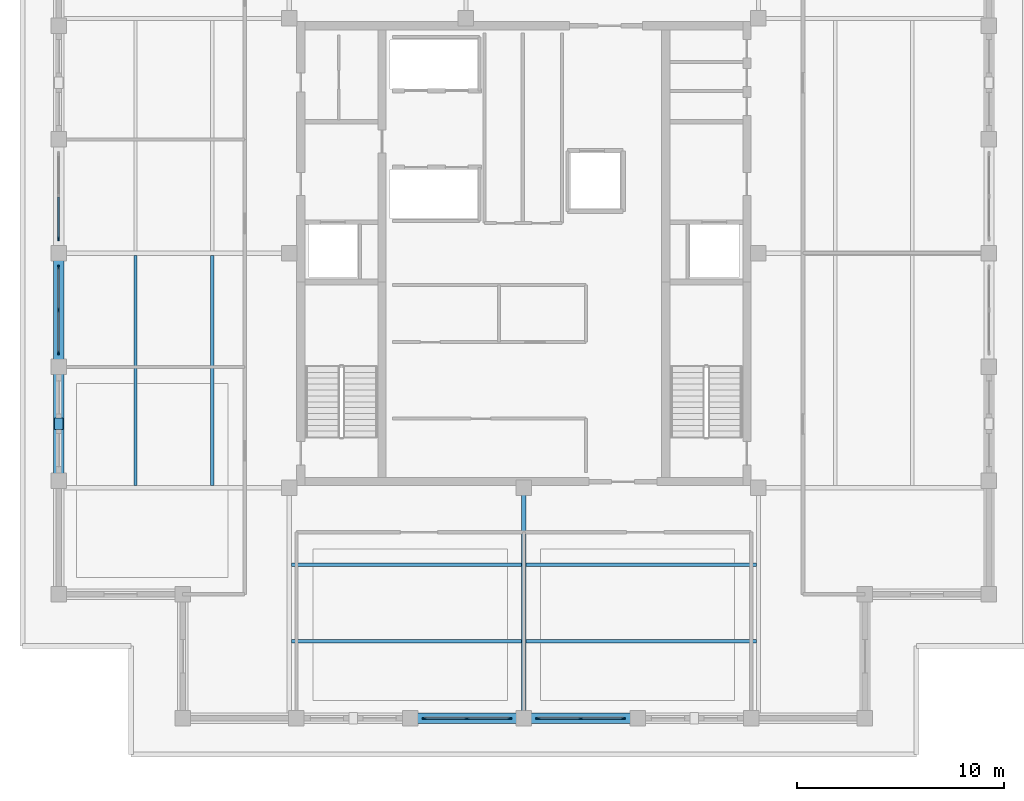
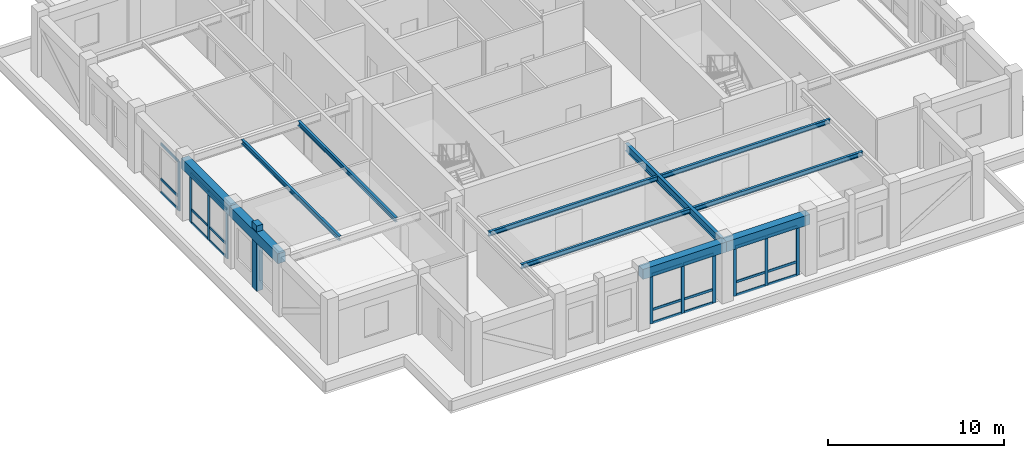
# One storey, part 2 of 13: 32 members, 11 beams, 4 elements without a shape of their own.
"""IFC4 building model written with IfcOpenShell, lengths in metres."""

from ifc_helpers import new_model, si_unit, direction, frame, origin, origin_2d, place, context, subcontext, project, spatial, rectangle, i_section, extrude, material, layer, layer_set, material_profile, profile_set, type_object, element, aggregate, save


model = new_model("IFC4")

# Units and contexts
model_context = context("Model", 3, precision=1e-05, world=origin(), true_north=direction((0.0, 1.0)))
body_context = subcontext(model_context, "Body", "Model", "MODEL_VIEW")
ifc_project = project(units=[si_unit("LENGTHUNIT", "METRE"), si_unit("AREAUNIT", "SQUARE_METRE"), si_unit("VOLUMEUNIT", "CUBIC_METRE"), si_unit("PLANEANGLEUNIT", "RADIAN"), si_unit("MASSUNIT", "GRAM", prefix="KILO")], contexts=[model_context])

# Site, building, storey
site_placement = place(None, origin())
site = spatial("IfcSite", under=ifc_project, at=site_placement, CompositionType="ELEMENT")
building_placement = place(site_placement, origin())
building = spatial("IfcBuilding", under=site, at=building_placement, Name="Nhamokura Convention Tower", CompositionType="ELEMENT")
storey_placement = place(building_placement, frame((0.0, 0.0, 257.60009765625)))
storey = spatial("IfcBuildingStorey", under=building, at=storey_placement, Name="L63", CompositionType="ELEMENT", Elevation=257.60009765625)

# Member
ifc_material_1 = material(Name="Bronze-pigmented precast concrete C45/55", Category="concrete")
ifc_material_profile_1 = material_profile(ifc_material_1, rectangle(XDim=0.39990234375, YDim=0.550048828125, at=origin_2d()))
ifc_profile_set_1 = profile_set([ifc_material_profile_1], Name="Bronze-pigmented precast concrete C45/55")
member_type_1 = type_object("IfcMemberType", Name="BronzePilaster_550", PredefinedType="USERDEFINED", material=ifc_profile_set_1)
member_1_placement = place(storey_placement, frame((9.5, 23.75, 0.0), z_axis=(0.0, 0.0, 1.0), x_axis=(1.0, 0.0, 0.0)))
element("IfcMember", 1, at=member_1_placement, inside=storey, type_object=member_type_1, Name="L63 Engaged Frame Pilaster WEST 1", ObjectType="PILASTER_TRIM", PredefinedType="USERDEFINED", context=body_context, shape_type="SweptSolid", body=[
    extrude(rectangle(XDim=0.39990234375, YDim=0.550048828125, at=origin_2d()), origin(), (0.0, 0.0, 1.0), 4.5498046875),
])

# Curtain wall, members
ifc_material_2 = material(Name="Anodised bronze aluminium AA6063-T6", Category="aluminium")
ifc_layer = layer(ifc_material_2, 0.18994140625)
ifc_layer_set = layer_set([ifc_layer], Name="CWSystem_SkyLobby")
curtain_wall_type = type_object("IfcCurtainWallType", Name="CWSystem_SkyLobby", PredefinedType="NOTDEFINED", material=ifc_layer_set)
curtain_wall_1_placement = place(storey_placement, origin())
curtain_wall_1 = element("IfcCurtainWall", 2, at=curtain_wall_1_placement, inside=storey, type_object=curtain_wall_type, Name="L63 Curtain Wall ENV-L63-CW-S2", PredefinedType="NOTDEFINED")
ifc_material_3 = material(Name="Anodised bronze aluminium AA6063-T6", Category="aluminium")
ifc_material_profile_2 = material_profile(ifc_material_3, rectangle(XDim=0.074951171875, YDim=0.199951171875, at=origin_2d()))
ifc_profile_set_2 = profile_set([ifc_material_profile_2], Name="Anodised bronze aluminium AA6063-T6")
member_type_2 = type_object("IfcMemberType", Name="CWMullion_2", PredefinedType="MULLION", material=ifc_profile_set_2)
member_2_placement = place(storey_placement, frame((31.3125, 9.5, 0.0), z_axis=(0.0, 0.0, 1.0), x_axis=(0.0, -1.0, 0.0)))
member_2 = element("IfcMember", 3, at=member_2_placement, type_object=member_type_2, Name="CW-06 mullion 1", PredefinedType="MULLION", context=body_context, shape_type="SweptSolid", body=[
    extrude(rectangle(XDim=0.074951171875, YDim=0.199951171875, at=origin_2d()), origin(), (0.0, 0.0, 1.0), 3.429931640625),
])
member_3_placement = place(storey_placement, frame((29.25, 9.5, 0.0), z_axis=(0.0, 0.0, 1.0), x_axis=(0.0, -1.0, 0.0)))
member_3 = element("IfcMember", 4, at=member_3_placement, type_object=member_type_2, Name="CW-06 mullion 2", PredefinedType="MULLION", context=body_context, shape_type="SweptSolid", body=[
    extrude(rectangle(XDim=0.074951171875, YDim=0.199951171875, at=origin_2d()), origin(), (0.0, 0.0, 1.0), 3.429931640625),
])
member_4_placement = place(storey_placement, frame((27.1875, 9.5, 0.0), z_axis=(0.0, 0.0, 1.0), x_axis=(0.0, -1.0, 0.0)))
member_4 = element("IfcMember", 5, at=member_4_placement, type_object=member_type_2, Name="CW-06 mullion 3", PredefinedType="MULLION", context=body_context, shape_type="SweptSolid", body=[
    extrude(rectangle(XDim=0.074951171875, YDim=0.199951171875, at=origin_2d()), origin(), (0.0, 0.0, 1.0), 3.429931640625),
])

curtain_wall_2_placement = place(storey_placement, origin())
curtain_wall_2 = element("IfcCurtainWall", 6, at=curtain_wall_2_placement, inside=storey, type_object=curtain_wall_type, Name="L63 Curtain Wall ENV-L63-CW-S3", PredefinedType="NOTDEFINED")
member_5_placement = place(storey_placement, frame((36.8125, 9.5, 0.0), z_axis=(0.0, 0.0, 1.0), x_axis=(0.0, -1.0, 0.0)))
member_5 = element("IfcMember", 7, at=member_5_placement, type_object=member_type_2, Name="CW-06 mullion 1", PredefinedType="MULLION", context=body_context, shape_type="SweptSolid", body=[
    extrude(rectangle(XDim=0.074951171875, YDim=0.199951171875, at=origin_2d()), origin(), (0.0, 0.0, 1.0), 3.429931640625),
])
member_6_placement = place(storey_placement, frame((34.75, 9.5, 0.0), z_axis=(0.0, 0.0, 1.0), x_axis=(0.0, -1.0, 0.0)))
member_6 = element("IfcMember", 8, at=member_6_placement, type_object=member_type_2, Name="CW-06 mullion 2", PredefinedType="MULLION", context=body_context, shape_type="SweptSolid", body=[
    extrude(rectangle(XDim=0.074951171875, YDim=0.199951171875, at=origin_2d()), origin(), (0.0, 0.0, 1.0), 3.429931640625),
])
member_7_placement = place(storey_placement, frame((32.6875, 9.5, 0.0), z_axis=(0.0, 0.0, 1.0), x_axis=(0.0, -1.0, 0.0)))
member_7 = element("IfcMember", 9, at=member_7_placement, type_object=member_type_2, Name="CW-06 mullion 3", PredefinedType="MULLION", context=body_context, shape_type="SweptSolid", body=[
    extrude(rectangle(XDim=0.074951171875, YDim=0.199951171875, at=origin_2d()), origin(), (0.0, 0.0, 1.0), 3.429931640625),
])

curtain_wall_3_placement = place(storey_placement, origin())
curtain_wall_3 = element("IfcCurtainWall", 10, at=curtain_wall_3_placement, inside=storey, type_object=curtain_wall_type, Name="L63 Curtain Wall ENV-L63-CW-W2", PredefinedType="NOTDEFINED")
member_8_placement = place(storey_placement, frame((9.5, 27.1875, 0.0), z_axis=(0.0, 0.0, 1.0), x_axis=(-1.0, 0.0, 0.0)))
member_8 = element("IfcMember", 11, at=member_8_placement, type_object=member_type_2, Name="CW-06 mullion 1", PredefinedType="MULLION", context=body_context, shape_type="SweptSolid", body=[
    extrude(rectangle(XDim=0.074951171875, YDim=0.199951171875, at=origin_2d()), origin(), (0.0, 0.0, 1.0), 3.429931640625),
])
member_9_placement = place(storey_placement, frame((9.5, 29.25, 0.0), z_axis=(0.0, 0.0, 1.0), x_axis=(-1.0, 0.0, 0.0)))
member_9 = element("IfcMember", 12, at=member_9_placement, type_object=member_type_2, Name="CW-06 mullion 2", PredefinedType="MULLION", context=body_context, shape_type="SweptSolid", body=[
    extrude(rectangle(XDim=0.074951171875, YDim=0.199951171875, at=origin_2d()), origin(), (0.0, 0.0, 1.0), 3.429931640625),
])
member_10_placement = place(storey_placement, frame((9.5, 31.3125, 0.0), z_axis=(0.0, 0.0, 1.0), x_axis=(-1.0, 0.0, 0.0)))
member_10 = element("IfcMember", 13, at=member_10_placement, type_object=member_type_2, Name="CW-06 mullion 3", PredefinedType="MULLION", context=body_context, shape_type="SweptSolid", body=[
    extrude(rectangle(XDim=0.074951171875, YDim=0.199951171875, at=origin_2d()), origin(), (0.0, 0.0, 1.0), 3.429931640625),
])

# Curtain wall, member
curtain_wall_4_placement = place(storey_placement, origin())
curtain_wall_4 = element("IfcCurtainWall", 14, at=curtain_wall_4_placement, inside=storey, type_object=curtain_wall_type, Name="L63 Curtain Wall ENV-L63-CW-W3", PredefinedType="NOTDEFINED")
member_11_placement = place(storey_placement, frame((9.5, 32.6875, 0.0), z_axis=(0.0, 0.0, 1.0), x_axis=(-1.0, 0.0, 0.0)))
member_11 = element("IfcMember", 15, at=member_11_placement, type_object=member_type_2, Name="CW-06 mullion 1", PredefinedType="MULLION", context=body_context, shape_type="SweptSolid", body=[
    extrude(rectangle(XDim=0.074951171875, YDim=0.199951171875, at=origin_2d()), origin(), (0.0, 0.0, 1.0), 3.429931640625),
])

# Member
ifc_material_4 = material(Name="Anodised bronze aluminium AA6063-T6", Category="aluminium")
ifc_material_profile_3 = material_profile(ifc_material_4, rectangle(XDim=0.074951171875, YDim=0.169921875, at=origin_2d()))
ifc_profile_set_3 = profile_set([ifc_material_profile_3], Name="Anodised bronze aluminium AA6063-T6")
member_type_3 = type_object("IfcMemberType", Name="CWTransom_2", PredefinedType="USERDEFINED", material=ifc_profile_set_3)
member_12_placement = place(storey_placement, frame((31.27490234375, 9.5, 0.037353515625), z_axis=(-1.0, 0.0, 0.0), x_axis=(0.0, -1.0, 0.0)))
member_12 = element("IfcMember", 16, at=member_12_placement, type_object=member_type_3, Name="CW-06 transom 1.1", ObjectType="TRANSOM", PredefinedType="USERDEFINED", context=body_context, shape_type="SweptSolid", body=[
    extrude(rectangle(XDim=0.074951171875, YDim=0.169921875, at=origin_2d()), origin(), (0.0, 0.0, 1.0), 1.9873046875),
])

member_13_placement = place(storey_placement, frame((31.27490234375, 9.5, 0.949951171875), z_axis=(-1.0, 0.0, 0.0), x_axis=(0.0, -1.0, 0.0)))
member_13 = element("IfcMember", 17, at=member_13_placement, type_object=member_type_3, Name="CW-06 transom 1.2", ObjectType="TRANSOM", PredefinedType="USERDEFINED", context=body_context, shape_type="SweptSolid", body=[
    extrude(rectangle(XDim=0.074951171875, YDim=0.169921875, at=origin_2d()), origin(), (0.0, 0.0, 1.0), 1.9873046875),
])

member_14_placement = place(storey_placement, frame((31.27490234375, 9.5, 3.392333984375), z_axis=(-1.0, 0.0, 0.0), x_axis=(0.0, -1.0, 0.0)))
member_14 = element("IfcMember", 18, at=member_14_placement, type_object=member_type_3, Name="CW-06 transom 1.3", ObjectType="TRANSOM", PredefinedType="USERDEFINED", context=body_context, shape_type="SweptSolid", body=[
    extrude(rectangle(XDim=0.074951171875, YDim=0.169921875, at=origin_2d()), origin(), (0.0, 0.0, 1.0), 1.9873046875),
])

member_15_placement = place(storey_placement, frame((29.21240234375, 9.5, 0.037353515625), z_axis=(-1.0, 0.0, 0.0), x_axis=(0.0, -1.0, 0.0)))
member_15 = element("IfcMember", 19, at=member_15_placement, type_object=member_type_3, Name="CW-06 transom 2.1", ObjectType="TRANSOM", PredefinedType="USERDEFINED", context=body_context, shape_type="SweptSolid", body=[
    extrude(rectangle(XDim=0.074951171875, YDim=0.169921875, at=origin_2d()), origin(), (0.0, 0.0, 1.0), 1.9873046875),
])

member_16_placement = place(storey_placement, frame((29.21240234375, 9.5, 0.949951171875), z_axis=(-1.0, 0.0, 0.0), x_axis=(0.0, -1.0, 0.0)))
member_16 = element("IfcMember", 20, at=member_16_placement, type_object=member_type_3, Name="CW-06 transom 2.2", ObjectType="TRANSOM", PredefinedType="USERDEFINED", context=body_context, shape_type="SweptSolid", body=[
    extrude(rectangle(XDim=0.074951171875, YDim=0.169921875, at=origin_2d()), origin(), (0.0, 0.0, 1.0), 1.9873046875),
])

member_17_placement = place(storey_placement, frame((29.21240234375, 9.5, 3.392333984375), z_axis=(-1.0, 0.0, 0.0), x_axis=(0.0, -1.0, 0.0)))
member_17 = element("IfcMember", 21, at=member_17_placement, type_object=member_type_3, Name="CW-06 transom 2.3", ObjectType="TRANSOM", PredefinedType="USERDEFINED", context=body_context, shape_type="SweptSolid", body=[
    extrude(rectangle(XDim=0.074951171875, YDim=0.169921875, at=origin_2d()), origin(), (0.0, 0.0, 1.0), 1.9873046875),
])

aggregate(curtain_wall_1, [member_2, member_3, member_4, member_12, member_13, member_14, member_15, member_16, member_17])

member_18_placement = place(storey_placement, frame((36.77490234375, 9.5, 0.037353515625), z_axis=(-1.0, 0.0, 0.0), x_axis=(0.0, -1.0, 0.0)))
member_18 = element("IfcMember", 22, at=member_18_placement, type_object=member_type_3, Name="CW-06 transom 1.1", ObjectType="TRANSOM", PredefinedType="USERDEFINED", context=body_context, shape_type="SweptSolid", body=[
    extrude(rectangle(XDim=0.074951171875, YDim=0.169921875, at=origin_2d()), origin(), (0.0, 0.0, 1.0), 1.9873046875),
])

member_19_placement = place(storey_placement, frame((36.77490234375, 9.5, 0.949951171875), z_axis=(-1.0, 0.0, 0.0), x_axis=(0.0, -1.0, 0.0)))
member_19 = element("IfcMember", 23, at=member_19_placement, type_object=member_type_3, Name="CW-06 transom 1.2", ObjectType="TRANSOM", PredefinedType="USERDEFINED", context=body_context, shape_type="SweptSolid", body=[
    extrude(rectangle(XDim=0.074951171875, YDim=0.169921875, at=origin_2d()), origin(), (0.0, 0.0, 1.0), 1.9873046875),
])

member_20_placement = place(storey_placement, frame((36.77490234375, 9.5, 3.392333984375), z_axis=(-1.0, 0.0, 0.0), x_axis=(0.0, -1.0, 0.0)))
member_20 = element("IfcMember", 24, at=member_20_placement, type_object=member_type_3, Name="CW-06 transom 1.3", ObjectType="TRANSOM", PredefinedType="USERDEFINED", context=body_context, shape_type="SweptSolid", body=[
    extrude(rectangle(XDim=0.074951171875, YDim=0.169921875, at=origin_2d()), origin(), (0.0, 0.0, 1.0), 1.9873046875),
])

member_21_placement = place(storey_placement, frame((34.71240234375, 9.5, 0.037353515625), z_axis=(-1.0, 0.0, 0.0), x_axis=(0.0, -1.0, 0.0)))
member_21 = element("IfcMember", 25, at=member_21_placement, type_object=member_type_3, Name="CW-06 transom 2.1", ObjectType="TRANSOM", PredefinedType="USERDEFINED", context=body_context, shape_type="SweptSolid", body=[
    extrude(rectangle(XDim=0.074951171875, YDim=0.169921875, at=origin_2d()), origin(), (0.0, 0.0, 1.0), 1.9873046875),
])

member_22_placement = place(storey_placement, frame((34.71240234375, 9.5, 0.949951171875), z_axis=(-1.0, 0.0, 0.0), x_axis=(0.0, -1.0, 0.0)))
member_22 = element("IfcMember", 26, at=member_22_placement, type_object=member_type_3, Name="CW-06 transom 2.2", ObjectType="TRANSOM", PredefinedType="USERDEFINED", context=body_context, shape_type="SweptSolid", body=[
    extrude(rectangle(XDim=0.074951171875, YDim=0.169921875, at=origin_2d()), origin(), (0.0, 0.0, 1.0), 1.9873046875),
])

member_23_placement = place(storey_placement, frame((34.71240234375, 9.5, 3.392333984375), z_axis=(-1.0, 0.0, 0.0), x_axis=(0.0, -1.0, 0.0)))
member_23 = element("IfcMember", 27, at=member_23_placement, type_object=member_type_3, Name="CW-06 transom 2.3", ObjectType="TRANSOM", PredefinedType="USERDEFINED", context=body_context, shape_type="SweptSolid", body=[
    extrude(rectangle(XDim=0.074951171875, YDim=0.169921875, at=origin_2d()), origin(), (0.0, 0.0, 1.0), 1.9873046875),
])

aggregate(curtain_wall_2, [member_5, member_6, member_7, member_18, member_19, member_20, member_21, member_22, member_23])

member_24_placement = place(storey_placement, frame((9.5, 27.22509765625, 0.037353515625), z_axis=(0.0, 1.0, 0.0), x_axis=(-1.0, 0.0, 0.0)))
member_24 = element("IfcMember", 28, at=member_24_placement, type_object=member_type_3, Name="CW-06 transom 1.1", ObjectType="TRANSOM", PredefinedType="USERDEFINED", context=body_context, shape_type="SweptSolid", body=[
    extrude(rectangle(XDim=0.074951171875, YDim=0.169921875, at=origin_2d()), origin(), (0.0, 0.0, 1.0), 1.9873046875),
])

member_25_placement = place(storey_placement, frame((9.5, 27.22509765625, 0.949951171875), z_axis=(0.0, 1.0, 0.0), x_axis=(-1.0, 0.0, 0.0)))
member_25 = element("IfcMember", 29, at=member_25_placement, type_object=member_type_3, Name="CW-06 transom 1.2", ObjectType="TRANSOM", PredefinedType="USERDEFINED", context=body_context, shape_type="SweptSolid", body=[
    extrude(rectangle(XDim=0.074951171875, YDim=0.169921875, at=origin_2d()), origin(), (0.0, 0.0, 1.0), 1.9873046875),
])

member_26_placement = place(storey_placement, frame((9.5, 27.22509765625, 3.392333984375), z_axis=(0.0, 1.0, 0.0), x_axis=(-1.0, 0.0, 0.0)))
member_26 = element("IfcMember", 30, at=member_26_placement, type_object=member_type_3, Name="CW-06 transom 1.3", ObjectType="TRANSOM", PredefinedType="USERDEFINED", context=body_context, shape_type="SweptSolid", body=[
    extrude(rectangle(XDim=0.074951171875, YDim=0.169921875, at=origin_2d()), origin(), (0.0, 0.0, 1.0), 1.9873046875),
])

member_27_placement = place(storey_placement, frame((9.5, 29.28759765625, 0.037353515625), z_axis=(0.0, 1.0, 0.0), x_axis=(-1.0, 0.0, 0.0)))
member_27 = element("IfcMember", 31, at=member_27_placement, type_object=member_type_3, Name="CW-06 transom 2.1", ObjectType="TRANSOM", PredefinedType="USERDEFINED", context=body_context, shape_type="SweptSolid", body=[
    extrude(rectangle(XDim=0.074951171875, YDim=0.169921875, at=origin_2d()), origin(), (0.0, 0.0, 1.0), 1.9873046875),
])

member_28_placement = place(storey_placement, frame((9.5, 29.28759765625, 0.949951171875), z_axis=(0.0, 1.0, 0.0), x_axis=(-1.0, 0.0, 0.0)))
member_28 = element("IfcMember", 32, at=member_28_placement, type_object=member_type_3, Name="CW-06 transom 2.2", ObjectType="TRANSOM", PredefinedType="USERDEFINED", context=body_context, shape_type="SweptSolid", body=[
    extrude(rectangle(XDim=0.074951171875, YDim=0.169921875, at=origin_2d()), origin(), (0.0, 0.0, 1.0), 1.9873046875),
])

member_29_placement = place(storey_placement, frame((9.5, 29.28759765625, 3.392333984375), z_axis=(0.0, 1.0, 0.0), x_axis=(-1.0, 0.0, 0.0)))
member_29 = element("IfcMember", 33, at=member_29_placement, type_object=member_type_3, Name="CW-06 transom 2.3", ObjectType="TRANSOM", PredefinedType="USERDEFINED", context=body_context, shape_type="SweptSolid", body=[
    extrude(rectangle(XDim=0.074951171875, YDim=0.169921875, at=origin_2d()), origin(), (0.0, 0.0, 1.0), 1.9873046875),
])

aggregate(curtain_wall_3, [member_8, member_9, member_10, member_24, member_25, member_26, member_27, member_28, member_29])

member_30_placement = place(storey_placement, frame((9.5, 32.72509765625, 0.037353515625), z_axis=(0.0, 1.0, 0.0), x_axis=(-1.0, 0.0, 0.0)))
member_30 = element("IfcMember", 34, at=member_30_placement, type_object=member_type_3, Name="CW-06 transom 1.1", ObjectType="TRANSOM", PredefinedType="USERDEFINED", context=body_context, shape_type="SweptSolid", body=[
    extrude(rectangle(XDim=0.074951171875, YDim=0.169921875, at=origin_2d()), origin(), (0.0, 0.0, 1.0), 1.9873046875),
])

member_31_placement = place(storey_placement, frame((9.5, 32.72509765625, 0.949951171875), z_axis=(0.0, 1.0, 0.0), x_axis=(-1.0, 0.0, 0.0)))
member_31 = element("IfcMember", 35, at=member_31_placement, type_object=member_type_3, Name="CW-06 transom 1.2", ObjectType="TRANSOM", PredefinedType="USERDEFINED", context=body_context, shape_type="SweptSolid", body=[
    extrude(rectangle(XDim=0.074951171875, YDim=0.169921875, at=origin_2d()), origin(), (0.0, 0.0, 1.0), 1.9873046875),
])

member_32_placement = place(storey_placement, frame((9.5, 32.72509765625, 3.392333984375), z_axis=(0.0, 1.0, 0.0), x_axis=(-1.0, 0.0, 0.0)))
member_32 = element("IfcMember", 36, at=member_32_placement, type_object=member_type_3, Name="CW-06 transom 1.3", ObjectType="TRANSOM", PredefinedType="USERDEFINED", context=body_context, shape_type="SweptSolid", body=[
    extrude(rectangle(XDim=0.074951171875, YDim=0.169921875, at=origin_2d()), origin(), (0.0, 0.0, 1.0), 1.9873046875),
])

aggregate(curtain_wall_4, [member_11, member_30, member_31, member_32])

# Beams
ifc_material_5 = material(Name="Steel ASTM A992 Gr 50", Category="steel")
ifc_material_profile_4 = material_profile(ifc_material_5, i_section(OverallWidth=0.166015625, OverallDepth=0.31298828125, WebThickness=0.006591796875, FlangeThickness=0.01123046875, at=origin_2d()))
ifc_profile_set_4 = profile_set([ifc_material_profile_4], Name="Steel ASTM A992 Gr 50")
beam_type_1 = type_object("IfcBeamType", Name="FloorJoist_W310X45", PredefinedType="JOIST", material=ifc_profile_set_4)
for number, where, z_axis, x_axis, name in (
    (37, (20.75244140625, 13.216796875, 3.973388671875), (1.0, 0.0, 0.0), (0.0, 1.0, 0.0), "L63 Composite Floor Joist S1A"),
    (38, (32.1025390625, 13.216796875, 3.973388671875), (1.0, 0.0, 0.0), (0.0, 1.0, 0.0), "L63 Composite Floor Joist S1B"),
    (39, (20.75244140625, 16.933349609375, 3.973388671875), (1.0, 0.0, 0.0), (0.0, 1.0, 0.0), "L63 Composite Floor Joist S2A"),
    (40, (32.1025390625, 16.933349609375, 3.973388671875), (1.0, 0.0, 0.0), (0.0, 1.0, 0.0), "L63 Composite Floor Joist S2B"),
    (41, (13.216796875, 20.75244140625, 3.973388671875), (0.0, 1.0, 0.0), (-1.0, 0.0, 0.0), "L63 Composite Floor Joist W1A"),
    (42, (16.933349609375, 20.75244140625, 3.973388671875), (0.0, 1.0, 0.0), (-1.0, 0.0, 0.0), "L63 Composite Floor Joist W2A"),
):
    element("IfcBeam", number, at=place(storey_placement, frame(where, z_axis=z_axis, x_axis=x_axis)), inside=storey, type_object=beam_type_1, Name=name, PredefinedType="JOIST", context=body_context, shape_type="SweptSolid", body=[
        extrude(i_section(OverallWidth=0.166015625, OverallDepth=0.31298828125, WebThickness=0.006591796875, FlangeThickness=0.01123046875, at=origin_2d()), origin(), (0.0, 0.0, 1.0), 11.14501953125),
    ])
ifc_material_6 = material(Name="Steel ASTM A992 Gr 50", Category="steel")
ifc_material_profile_5 = material_profile(ifc_material_6, i_section(OverallWidth=0.208984375, OverallDepth=0.532958984375, WebThickness=0.01025390625, FlangeThickness=0.015625, at=origin_2d()))
ifc_profile_set_5 = profile_set([ifc_material_profile_5], Name="Steel ASTM A992 Gr 50")
beam_type_2 = type_object("IfcBeamType", Name="PrimaryGirder_W530X92", PredefinedType="BEAM", material=ifc_profile_set_5)
beam_placement = place(storey_placement, frame((32.0, 9.5, 3.86328125), z_axis=(0.0, 1.0, 0.0), x_axis=(-1.0, 0.0, 0.0)))
element("IfcBeam", 43, at=beam_placement, inside=storey, type_object=beam_type_2, Name="L63 Primary Floor Girder PG-S2", PredefinedType="BEAM", context=body_context, shape_type="SweptSolid", body=[
    extrude(i_section(OverallWidth=0.208984375, OverallDepth=0.532958984375, WebThickness=0.01025390625, FlangeThickness=0.015625, at=origin_2d()), origin(), (0.0, 0.0, 1.0), 11.14990234375),
])
ifc_material_7 = material(Name="Concrete C50/60", Category="concrete")
ifc_material_profile_6 = material_profile(ifc_material_7, rectangle(XDim=0.5, YDim=0.699951171875, at=origin_2d()))
ifc_profile_set_6 = profile_set([ifc_material_profile_6], Name="Concrete C50/60")
beam_type_3 = type_object("IfcBeamType", Name="TubeSpandrel_700", PredefinedType="SPANDREL", material=ifc_profile_set_6)
for number, where, z_axis, x_axis, name in (
    (44, (26.5, 9.5, 3.77978515625), (1.0, 0.0, 0.0), (0.0, 1.0, 0.0), "L63 Perimeter Spandrel SOUTH 3"),
    (45, (32.0, 9.5, 3.77978515625), (1.0, 0.0, 0.0), (0.0, 1.0, 0.0), "L63 Perimeter Spandrel SOUTH 4"),
    (46, (9.5, 21.0, 3.77978515625), (0.0, 1.0, 0.0), (-1.0, 0.0, 0.0), "L63 Perimeter Spandrel WEST 2"),
    (47, (9.5, 26.5, 3.77978515625), (0.0, 1.0, 0.0), (-1.0, 0.0, 0.0), "L63 Perimeter Spandrel WEST 3"),
):
    element("IfcBeam", number, at=place(storey_placement, frame(where, z_axis=z_axis, x_axis=x_axis)), inside=storey, type_object=beam_type_3, Name=name, PredefinedType="SPANDREL", context=body_context, shape_type="SweptSolid", body=[
        extrude(rectangle(XDim=0.5, YDim=0.699951171875, at=origin_2d()), origin(), (0.0, 0.0, 1.0), 5.5),
    ])

save(model, "model.ifc")
